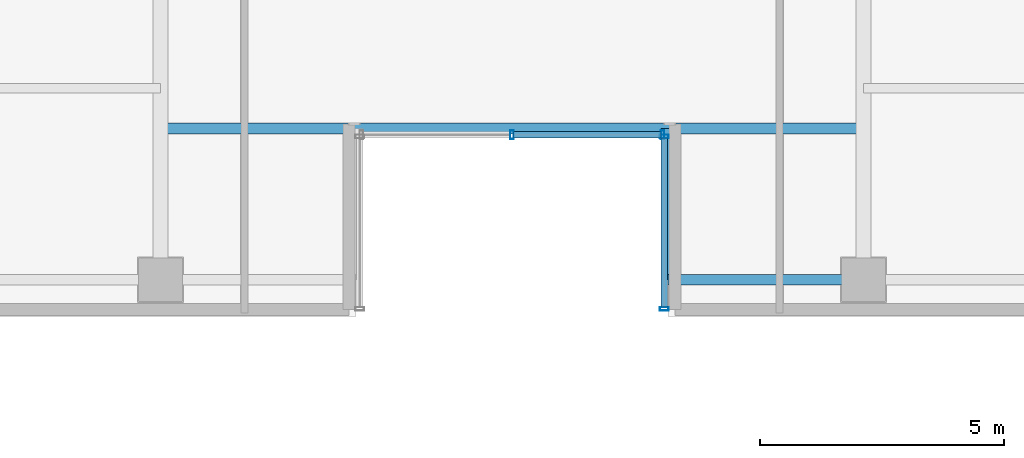
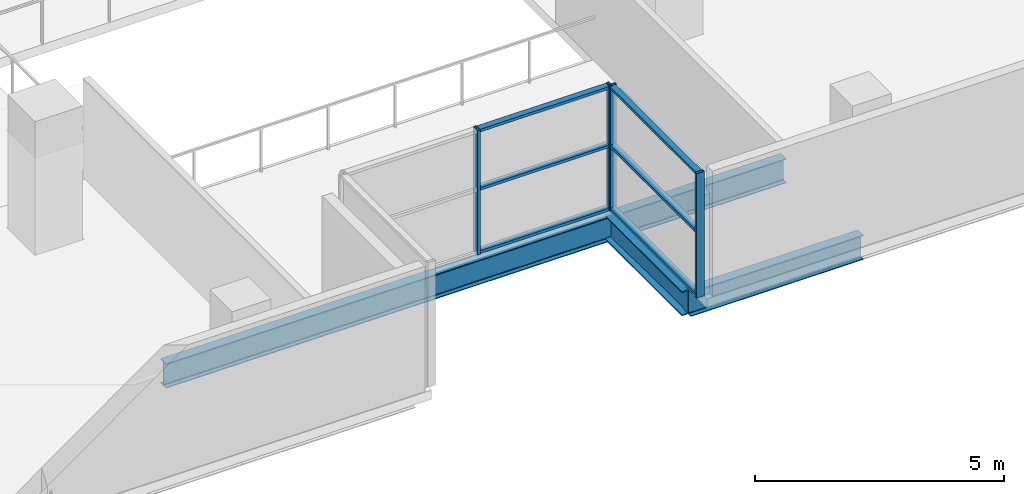
# One storey, part 12 of 30: 10 members, 3 beams, 2 elements without a shape of their own.
"""IFC4 building model written with IfcOpenShell, lengths in metres."""

from ifc_helpers import new_model, si_unit, direction, frame, origin, origin_2d, place, context, subcontext, project, spatial, hollow_rectangle, i_section, extrude, source, transform, mapped, material, layer, layer_set, material_profile, profile_set, type_object, element, aggregate, save


model = new_model("IFC4")

# Units and contexts
model_context = context("Model", 3, precision=1e-05, world=origin(), true_north=direction((0.0, 1.0)))
body_context = subcontext(model_context, "Body", "Model", "MODEL_VIEW")
ifc_project = project(units=[si_unit("LENGTHUNIT", "METRE"), si_unit("AREAUNIT", "SQUARE_METRE"), si_unit("VOLUMEUNIT", "CUBIC_METRE"), si_unit("PLANEANGLEUNIT", "RADIAN"), si_unit("MASSUNIT", "GRAM", prefix="KILO")], contexts=[model_context])

# Site, building, storey
site_placement = place(None, origin())
site = spatial("IfcSite", under=ifc_project, at=site_placement, CompositionType="ELEMENT")
building_placement = place(site_placement, origin())
building = spatial("IfcBuilding", under=site, at=building_placement, Name="Zarnakvel Exchange Tower", CompositionType="ELEMENT")
storey_placement = place(building_placement, frame((0.0, 0.0, 43.89990234375)))
storey = spatial("IfcBuildingStorey", under=building, at=storey_placement, Name="L11", CompositionType="ELEMENT", Elevation=43.89990234375)

# Beams
ifc_material_1 = material(Name="Steel S355", Category="steel")
ifc_material_profile_1 = material_profile(ifc_material_1, i_section(OverallWidth=0.300048828125, OverallDepth=0.60009765625, WebThickness=0.015380859375, FlangeThickness=0.030029296875, FilletRadius=0.027099609375, at=origin_2d()))
ifc_profile_set_1 = profile_set([ifc_material_profile_1], Name="Steel S355")
beam_type_1 = type_object("IfcBeamType", Name="G-04", PredefinedType="BEAM", material=ifc_profile_set_1)
beam_1_placement = place(storey_placement, frame((3.199951171875, -17.449951171875, -0.52490234375), z_axis=(0.0, 1.0, 0.0), x_axis=(-1.0, 0.0, 0.0)))
element("IfcBeam", 1, at=beam_1_placement, inside=storey, type_object=beam_type_1, Name="L11 South Slot East Cheek Beam", PredefinedType="BEAM", context=body_context, shape_type="SweptSolid", body=[
    extrude(i_section(OverallWidth=0.300048828125, OverallDepth=0.60009765625, WebThickness=0.015380859375, FlangeThickness=0.030029296875, FilletRadius=0.027099609375, at=origin_2d()), origin(), (0.0, 0.0, 1.0), 3.099853515625),
])
ifc_material_profile_2 = material_profile(ifc_material_1, i_section(OverallWidth=0.219970703125, OverallDepth=0.60009765625, WebThickness=0.011962890625, FlangeThickness=0.01904296875, FilletRadius=0.02392578125, at=origin_2d()))
ifc_profile_set_2 = profile_set([ifc_material_profile_2], Name="Steel S355")
beam_type_2 = type_object("IfcBeamType", Name="SP-01", PredefinedType="SPANDREL", material=ifc_profile_set_2)
beam_2_placement = place(storey_placement, frame((3.199951171875, -17.449951171875, -0.52490234375), z_axis=(1.0, 0.0, 0.0), x_axis=(0.0, 1.0, 0.0)))
element("IfcBeam", 2, at=beam_2_placement, inside=storey, type_object=beam_type_2, Name="L11 South Slot East Jamb Spandrel", PredefinedType="SPANDREL", context=body_context, shape_type="SweptSolid", body=[
    extrude(i_section(OverallWidth=0.219970703125, OverallDepth=0.60009765625, WebThickness=0.011962890625, FlangeThickness=0.01904296875, FilletRadius=0.02392578125, at=origin_2d()), origin(), (0.0, 0.0, 1.0), 4.0),
])
beam_3_placement = place(storey_placement, frame((-7.199951171875, -14.35009765625, -0.52490234375), z_axis=(1.0, 0.0, 0.0), x_axis=(0.0, 1.0, 0.0)))
element("IfcBeam", 3, at=beam_3_placement, inside=storey, type_object=beam_type_2, Name="L11 South Slot Head Trimmer Girder", PredefinedType="SPANDREL", context=body_context, shape_type="SweptSolid", body=[
    extrude(i_section(OverallWidth=0.219970703125, OverallDepth=0.60009765625, WebThickness=0.011962890625, FlangeThickness=0.01904296875, FilletRadius=0.02392578125, at=origin_2d()), origin(), (0.0, 0.0, 1.0), 14.39990234375),
])

# Curtain wall, members
ifc_material_2 = material(Name="Architectural Bronze Anodised Aluminium", Category="aluminium")
ifc_layer = layer(ifc_material_2, 0.179931640625)
ifc_layer_set = layer_set([ifc_layer], Name="Architectural Bronze Anodised Aluminium")
curtain_wall_type = type_object("IfcCurtainWallType", Name="CW-05", PredefinedType="NOTDEFINED", material=ifc_layer_set)
curtain_wall_1_placement = place(storey_placement, origin())
curtain_wall_1 = element("IfcCurtainWall", 4, at=curtain_wall_1_placement, inside=storey, type_object=curtain_wall_type, Name="L11 Curtain Wall CW-L11-SLB (CW-05)", PredefinedType="NOTDEFINED")
ifc_material_profile_3 = material_profile(ifc_material_2, hollow_rectangle(XDim=0.179931640625, YDim=0.070068359375, WallThickness=0.00390625, at=origin_2d()))
ifc_profile_set_3 = profile_set([ifc_material_profile_3], Name="Architectural Bronze Anodised Aluminium")
member_type_1 = type_object("IfcMemberType", Name="CWM-05", PredefinedType="MULLION", material=ifc_profile_set_3)
shared_shape_1 = source(origin(), body_context, "Body", "SweptSolid", [
    extrude(hollow_rectangle(XDim=0.179931640625, YDim=0.070068359375, WallThickness=0.00390625, at=origin_2d()), origin(), (0.0, 0.0, 1.0), 3.05517578125),
])
member_1_placement = place(storey_placement, frame((0.0, -14.47998046875, 0.0), z_axis=(0.0, 0.0, 1.0), x_axis=(0.0, 1.0, 0.0)))
member_1 = element("IfcMember", 5, at=member_1_placement, type_object=member_type_1, Name="CW-05 mullion 2", PredefinedType="MULLION", context=body_context, shape_type="MappedRepresentation", body=[
    mapped(shared_shape_1, transform((0.0, 0.0, 0.0), x_axis=(1.0, 0.0, 0.0), y_axis=(0.0, 1.0, 0.0), z_axis=(0.0, 0.0, 1.0), scale=1.0)),
])
member_2_placement = place(storey_placement, frame((3.0849609375, -14.47998046875, 0.0), z_axis=(0.0, 0.0, 1.0), x_axis=(0.0, 1.0, 0.0)))
member_2 = element("IfcMember", 6, at=member_2_placement, type_object=member_type_1, Name="CW-05 mullion 3", PredefinedType="MULLION", context=body_context, shape_type="MappedRepresentation", body=[
    mapped(shared_shape_1, transform((0.0, 0.0, 0.0), x_axis=(1.0, 0.0, 0.0), y_axis=(0.0, 1.0, 0.0), z_axis=(0.0, 0.0, 1.0), scale=1.0)),
])

curtain_wall_2_placement = place(storey_placement, origin())
curtain_wall_2 = element("IfcCurtainWall", 7, at=curtain_wall_2_placement, inside=storey, type_object=curtain_wall_type, Name="L11 Curtain Wall CW-L11-SLE (CW-05)", PredefinedType="NOTDEFINED")
member_3_placement = place(storey_placement, frame((3.1201171875, -14.514892578125, 0.0), z_axis=(0.0, 0.0, 1.0), x_axis=(1.0, 0.0, 0.0)))
member_3 = element("IfcMember", 8, at=member_3_placement, type_object=member_type_1, Name="CW-05 mullion 1", PredefinedType="MULLION", context=body_context, shape_type="MappedRepresentation", body=[
    mapped(shared_shape_1, transform((0.0, 0.0, 0.0), x_axis=(1.0, 0.0, 0.0), y_axis=(0.0, 1.0, 0.0), z_axis=(0.0, 0.0, 1.0), scale=1.0)),
])
member_4_placement = place(storey_placement, frame((3.1201171875, -18.044921875, 0.0), z_axis=(0.0, 0.0, 1.0), x_axis=(1.0, 0.0, 0.0)))
member_4 = element("IfcMember", 9, at=member_4_placement, type_object=member_type_1, Name="CW-05 mullion 2", PredefinedType="MULLION", context=body_context, shape_type="MappedRepresentation", body=[
    mapped(shared_shape_1, transform((0.0, 0.0, 0.0), x_axis=(1.0, 0.0, 0.0), y_axis=(0.0, 1.0, 0.0), z_axis=(0.0, 0.0, 1.0), scale=1.0)),
])
ifc_material_profile_4 = material_profile(ifc_material_2, hollow_rectangle(XDim=0.139892578125, YDim=0.070068359375, WallThickness=0.00390625, at=origin_2d()))
ifc_profile_set_4 = profile_set([ifc_material_profile_4], Name="Architectural Bronze Anodised Aluminium")
member_type_2 = type_object("IfcMemberType", Name="CWT-05", PredefinedType="USERDEFINED", material=ifc_profile_set_4)
shared_shape_2 = source(origin(), body_context, "Body", "SweptSolid", [
    extrude(hollow_rectangle(XDim=0.139892578125, YDim=0.070068359375, WallThickness=0.00390625, at=origin_2d()), origin(), (0.0, 0.0, 1.0), 3.4599609375),
])
member_5_placement = place(storey_placement, frame((3.1201171875, -14.550048828125, 0.03515625), z_axis=(0.0, -1.0, 0.0), x_axis=(1.0, 0.0, 0.0)))
member_5 = element("IfcMember", 10, at=member_5_placement, type_object=member_type_2, Name="CW-05 transom 1.1", ObjectType="TRANSOM", PredefinedType="USERDEFINED", context=body_context, shape_type="MappedRepresentation", body=[
    mapped(shared_shape_2, transform((0.0, 0.0, 0.0), x_axis=(1.0, 0.0, 0.0), y_axis=(0.0, 1.0, 0.0), z_axis=(0.0, 0.0, 1.0), scale=1.0)),
])
member_6_placement = place(storey_placement, frame((3.1201171875, -14.550048828125, 1.588623046875), z_axis=(0.0, -1.0, 0.0), x_axis=(1.0, 0.0, 0.0)))
member_6 = element("IfcMember", 11, at=member_6_placement, type_object=member_type_2, Name="CW-05 transom 1.2", ObjectType="TRANSOM", PredefinedType="USERDEFINED", context=body_context, shape_type="MappedRepresentation", body=[
    mapped(shared_shape_2, transform((0.0, 0.0, 0.0), x_axis=(1.0, 0.0, 0.0), y_axis=(0.0, 1.0, 0.0), z_axis=(0.0, 0.0, 1.0), scale=1.0)),
])
member_7_placement = place(storey_placement, frame((3.1201171875, -14.550048828125, 3.02001953125), z_axis=(0.0, -1.0, 0.0), x_axis=(1.0, 0.0, 0.0)))
member_7 = element("IfcMember", 12, at=member_7_placement, type_object=member_type_2, Name="CW-05 transom 1.3", ObjectType="TRANSOM", PredefinedType="USERDEFINED", context=body_context, shape_type="MappedRepresentation", body=[
    mapped(shared_shape_2, transform((0.0, 0.0, 0.0), x_axis=(1.0, 0.0, 0.0), y_axis=(0.0, 1.0, 0.0), z_axis=(0.0, 0.0, 1.0), scale=1.0)),
])
aggregate(curtain_wall_2, [member_3, member_4, member_5, member_6, member_7])

# Member
shared_shape_3 = source(origin(), body_context, "Body", "SweptSolid", [
    extrude(hollow_rectangle(XDim=0.139892578125, YDim=0.070068359375, WallThickness=0.00390625, at=origin_2d()), origin(), (0.0, 0.0, 1.0), 3.01513671875),
])
member_8_placement = place(storey_placement, frame((0.034912109375, -14.47998046875, 0.03515625), z_axis=(1.0, 0.0, 0.0), x_axis=(0.0, 1.0, 0.0)))
member_8 = element("IfcMember", 13, at=member_8_placement, type_object=member_type_2, Name="CW-05 transom 2.1", ObjectType="TRANSOM", PredefinedType="USERDEFINED", context=body_context, shape_type="MappedRepresentation", body=[
    mapped(shared_shape_3, transform((0.0, 0.0, 0.0), x_axis=(1.0, 0.0, 0.0), y_axis=(0.0, 1.0, 0.0), z_axis=(0.0, 0.0, 1.0), scale=1.0)),
])

member_9_placement = place(storey_placement, frame((0.034912109375, -14.47998046875, 1.588623046875), z_axis=(1.0, 0.0, 0.0), x_axis=(0.0, 1.0, 0.0)))
member_9 = element("IfcMember", 14, at=member_9_placement, type_object=member_type_2, Name="CW-05 transom 2.2", ObjectType="TRANSOM", PredefinedType="USERDEFINED", context=body_context, shape_type="MappedRepresentation", body=[
    mapped(shared_shape_3, transform((0.0, 0.0, 0.0), x_axis=(1.0, 0.0, 0.0), y_axis=(0.0, 1.0, 0.0), z_axis=(0.0, 0.0, 1.0), scale=1.0)),
])

member_10_placement = place(storey_placement, frame((0.034912109375, -14.47998046875, 3.02001953125), z_axis=(1.0, 0.0, 0.0), x_axis=(0.0, 1.0, 0.0)))
member_10 = element("IfcMember", 15, at=member_10_placement, type_object=member_type_2, Name="CW-05 transom 2.3", ObjectType="TRANSOM", PredefinedType="USERDEFINED", context=body_context, shape_type="MappedRepresentation", body=[
    mapped(shared_shape_3, transform((0.0, 0.0, 0.0), x_axis=(1.0, 0.0, 0.0), y_axis=(0.0, 1.0, 0.0), z_axis=(0.0, 0.0, 1.0), scale=1.0)),
])

aggregate(curtain_wall_1, [member_1, member_2, member_8, member_9, member_10])

save(model, "model.ifc")
